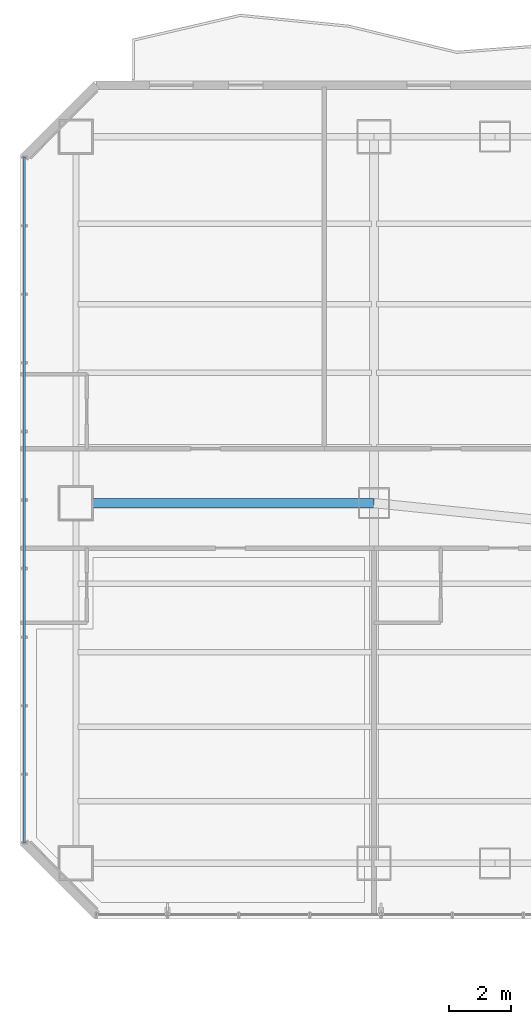
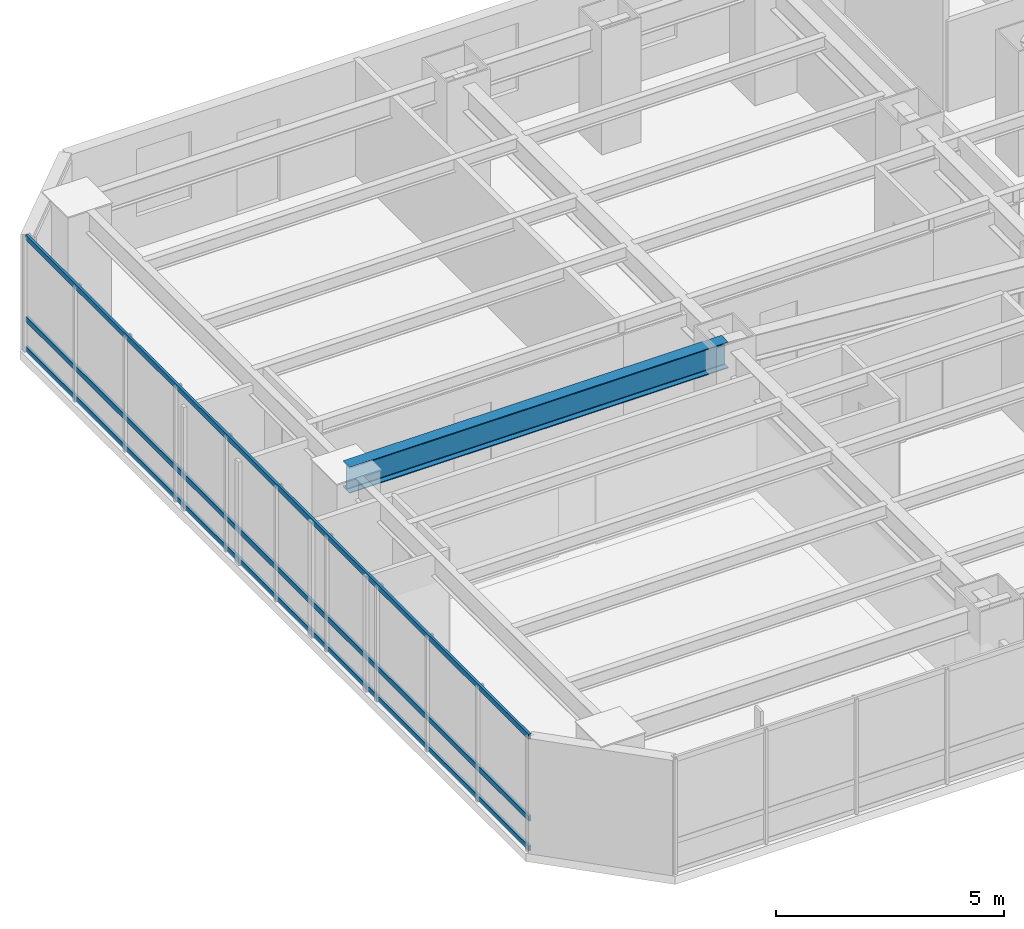
# One storey, part 19 of 39: 3 members, 1 beam, 1 element without a shape of its own.
"""IFC4 building model written with IfcOpenShell, lengths in metres."""

from ifc_helpers import new_model, si_unit, direction, frame, origin, origin_2d, place, context, subcontext, project, spatial, hollow_rectangle, i_section, extrude, material, layer, layer_set, material_profile, profile_set, type_object, element, aggregate, save


model = new_model("IFC4")

# Units and contexts
model_context = context("Model", 3, precision=1e-05, world=origin(), true_north=direction((0.0, 1.0)))
body_context = subcontext(model_context, "Body", "Model", "MODEL_VIEW")
ifc_project = project(units=[si_unit("LENGTHUNIT", "METRE"), si_unit("AREAUNIT", "SQUARE_METRE"), si_unit("VOLUMEUNIT", "CUBIC_METRE"), si_unit("PLANEANGLEUNIT", "RADIAN"), si_unit("MASSUNIT", "GRAM", prefix="KILO")], contexts=[model_context])

# Site, building, storey
site_placement = place(None, origin())
site = spatial("IfcSite", under=ifc_project, at=site_placement, CompositionType="ELEMENT")
building_placement = place(site_placement, origin())
building = spatial("IfcBuilding", under=site, at=building_placement, Name="Hatsunagi Terrace Concourse", CompositionType="ELEMENT")
storey_placement = place(building_placement, frame((0.0, 0.0, 66.75)))
storey = spatial("IfcBuildingStorey", under=building, at=storey_placement, Name="L17", CompositionType="ELEMENT", Elevation=66.75)

# Curtain wall, members
ifc_material_1 = material(Name="Anodised Aluminium Alloy 6063-T5", Category="aluminium")
ifc_layer = layer(ifc_material_1, 0.199951171875)
ifc_layer_set = layer_set([ifc_layer], Name="HotelFacade_CW02")
curtain_wall_type = type_object("IfcCurtainWallType", Name="HotelFacade_CW02", PredefinedType="NOTDEFINED", material=ifc_layer_set)
curtain_wall_placement = place(storey_placement, origin())
curtain_wall = element("IfcCurtainWall", 1, at=curtain_wall_placement, inside=storey, type_object=curtain_wall_type, Name="Unitised Curtain Wall CW-02 CW-L17-09", PredefinedType="NOTDEFINED")
ifc_material_2 = material(Name="Anodised Aluminium Alloy 6063-T5", Category="aluminium")
ifc_material_profile_1 = material_profile(ifc_material_2, hollow_rectangle(XDim=0.06494140625, YDim=0.139892578125, WallThickness=0.00390625, at=origin_2d()), Name="ALU-TRN-140x65x4")
ifc_profile_set_1 = profile_set([ifc_material_profile_1], Name="Anodised Aluminium Alloy 6063-T5")
member_type = type_object("IfcMemberType", Name="CurtainWallTransom_140x65", PredefinedType="USERDEFINED", material=ifc_profile_set_1)
member_1_placement = place(storey_placement, frame((0.139892578125, 25.85791015625, 0.050048828125), z_axis=(0.0, 1.0, 0.0), x_axis=(-1.0, 0.0, 0.0)))
member_1 = element("IfcMember", 2, at=member_1_placement, type_object=member_type, Name="Curtain Wall Transom TRN-02", ObjectType="TRANSOM", PredefinedType="USERDEFINED", context=body_context, shape_type="SweptSolid", body=[
    extrude(hollow_rectangle(XDim=0.06494140625, YDim=0.139892578125, WallThickness=0.00390625, at=origin_2d()), origin(), (0.0, 0.0, 1.0), 22.083984375),
])
member_2_placement = place(storey_placement, frame((0.139892578125, 25.85791015625, 0.85009765625), z_axis=(0.0, 1.0, 0.0), x_axis=(-1.0, 0.0, 0.0)))
member_2 = element("IfcMember", 3, at=member_2_placement, type_object=member_type, Name="Curtain Wall Transom TRN-02", ObjectType="TRANSOM", PredefinedType="USERDEFINED", context=body_context, shape_type="SweptSolid", body=[
    extrude(hollow_rectangle(XDim=0.06494140625, YDim=0.139892578125, WallThickness=0.00390625, at=origin_2d()), origin(), (0.0, 0.0, 1.0), 22.083984375),
])
member_3_placement = place(storey_placement, frame((0.139892578125, 25.85791015625, 3.0400390625), z_axis=(0.0, 1.0, 0.0), x_axis=(-1.0, 0.0, 0.0)))
member_3 = element("IfcMember", 4, at=member_3_placement, type_object=member_type, Name="Curtain Wall Transom TRN-02", ObjectType="TRANSOM", PredefinedType="USERDEFINED", context=body_context, shape_type="SweptSolid", body=[
    extrude(hollow_rectangle(XDim=0.06494140625, YDim=0.139892578125, WallThickness=0.00390625, at=origin_2d()), origin(), (0.0, 0.0, 1.0), 22.083984375),
])
aggregate(curtain_wall, [member_1, member_2, member_3])

# Beam
ifc_material_3 = material(Name="Steel SN490B", Category="steel")
ifc_material_profile_2 = material_profile(ifc_material_3, i_section(OverallWidth=0.300048828125, OverallDepth=0.699951171875, WebThickness=0.012939453125, FlangeThickness=0.02392578125, FilletRadius=0.02197265625, at=origin_2d()), Name="H-700x300x13x24")
ifc_profile_set_2 = profile_set([ifc_material_profile_2], Name="Steel SN490B")
beam_type = type_object("IfcBeamType", Name="HotelFloorGirder_H_700x300", PredefinedType="BEAM", material=ifc_profile_set_2)
beam_placement = place(storey_placement, frame((1.800048828125, 36.800048828125, 2.780029296875), z_axis=(1.0, 0.0, 0.0), x_axis=(0.0, 1.0, 0.0)))
element("IfcBeam", 5, at=beam_placement, inside=storey, type_object=beam_type, Name="Beam G-04 BM-L17-EW-1", PredefinedType="BEAM", context=body_context, shape_type="SweptSolid", body=[
    extrude(i_section(OverallWidth=0.300048828125, OverallDepth=0.699951171875, WebThickness=0.012939453125, FlangeThickness=0.02392578125, FilletRadius=0.02197265625, at=origin_2d()), origin(), (0.0, 0.0, 1.0), 9.599853515625),
])

save(model, "model.ifc")
